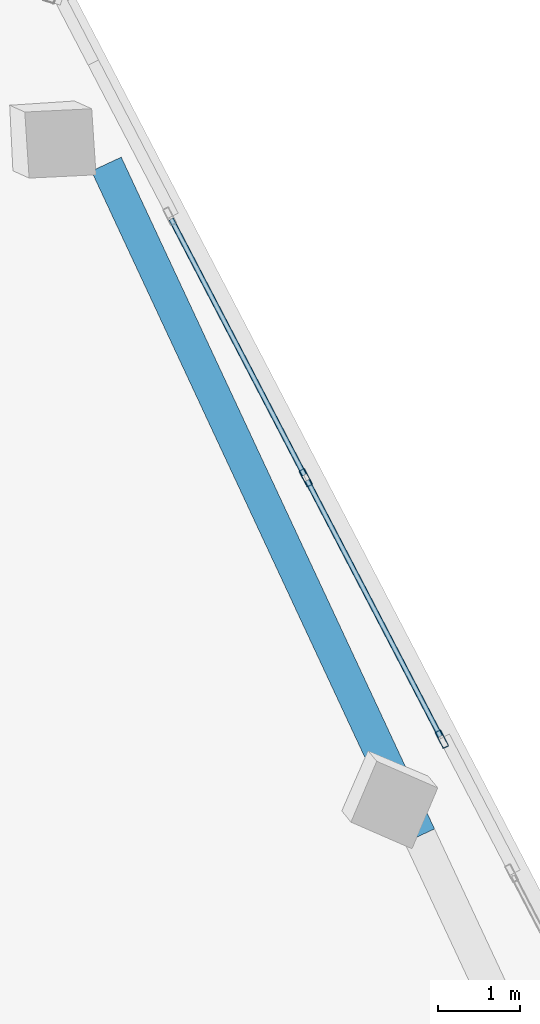
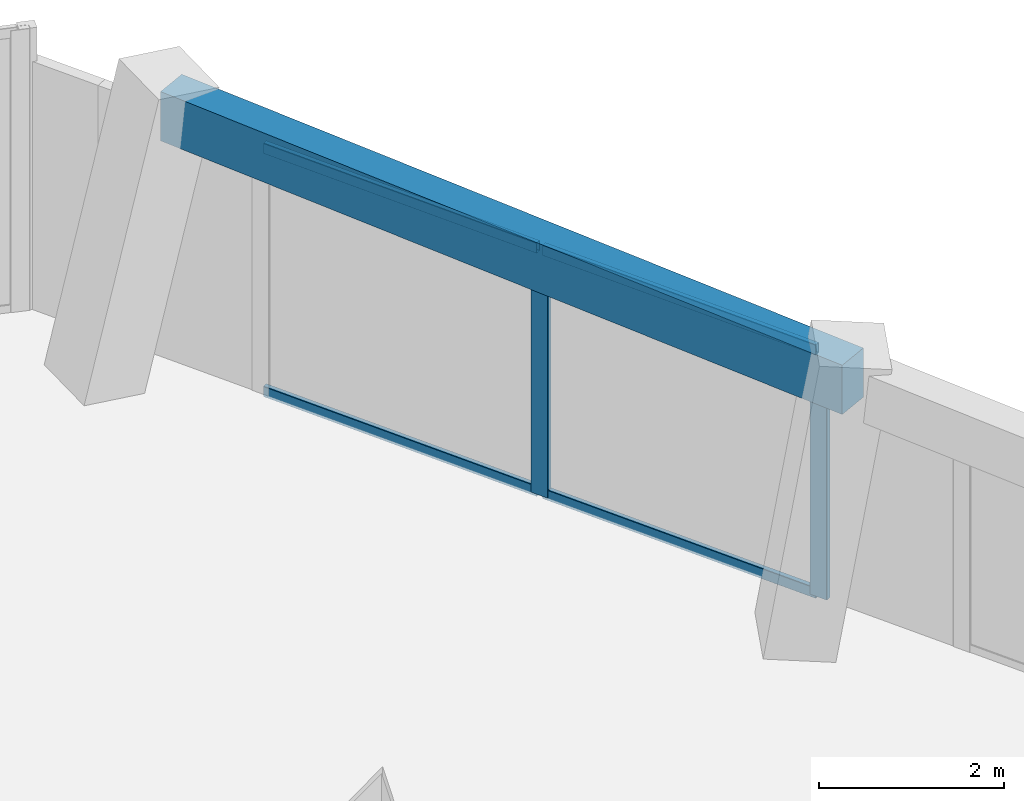
# One storey, part 10 of 16: 6 members, 1 beam, 1 element without a shape of its own.
"""IFC4 building model written with IfcOpenShell, lengths in metres."""

from ifc_helpers import new_model, si_unit, direction, frame, origin, origin_2d, place, context, subcontext, project, spatial, rectangle, hollow_rectangle, extrude, source, transform, mapped, material, material_profile, profile_set, type_object, element, aggregate, save


model = new_model("IFC4")

# Units and contexts
model_context = context("Model", 3, precision=1e-05, world=origin(), true_north=direction((0.0, 1.0)))
body_context = subcontext(model_context, "Body", "Model", "MODEL_VIEW")
ifc_project = project(units=[si_unit("LENGTHUNIT", "METRE"), si_unit("AREAUNIT", "SQUARE_METRE"), si_unit("VOLUMEUNIT", "CUBIC_METRE"), si_unit("PLANEANGLEUNIT", "RADIAN"), si_unit("MASSUNIT", "GRAM", prefix="KILO")], contexts=[model_context])

# Site, building, storey
site_placement = place(None, origin())
site = spatial("IfcSite", under=ifc_project, at=site_placement, CompositionType="ELEMENT")
building_placement = place(site_placement, origin())
building = spatial("IfcBuilding", under=site, at=building_placement, Name="Torre Montelarca", CompositionType="ELEMENT")
storey_placement = place(building_placement, frame((0.0, 0.0, 336.60009765625)))
storey = spatial("IfcBuildingStorey", under=building, at=storey_placement, Name="L76", CompositionType="ELEMENT", Elevation=336.60009765625)

# Beam
ifc_material_1 = material(Name="Concrete C40/50", Category="concrete")
ifc_material_profile_1 = material_profile(ifc_material_1, rectangle(XDim=0.39990234375, YDim=0.64990234375, at=origin_2d()), Name="RCB400X650", Category="concrete")
ifc_profile_set_1 = profile_set([ifc_material_profile_1], Name="Concrete C40/50")
beam_type = type_object("IfcBeamType", Name="BM-SP-RC650-EXT", PredefinedType="SPANDREL", material=ifc_profile_set_1)
shared_shape_1 = source(origin(), body_context, "Body", "SweptSolid", [
    extrude(rectangle(XDim=0.39990234375, YDim=0.64990234375, at=origin_2d()), origin(), (0.0, 0.0, 1.0), 9.0),
])
beam_placement = place(storey_placement, frame((29.94775390625, 49.7314453125, 3.635009765625), z_axis=(0.422632992999, -0.906300917592, 0.0), x_axis=(0.906300917592, 0.422632992999, 0.0)))
element("IfcBeam", 1, at=beam_placement, inside=storey, type_object=beam_type, Name="L76 Grid Girder X 9.0-18.0 at Y=47.1", PredefinedType="SPANDREL", context=body_context, shape_type="MappedRepresentation", body=[
    mapped(shared_shape_1, transform((0.0, 0.0, 0.0), scale=1.0)),
])

# Curtain wall, members
ifc_material_2 = material(Name="Insulated low-E laminated glass", Category="glass")
curtain_wall_type = type_object("IfcCurtainWallType", Name="CW-SYS-Z4", PredefinedType="USERDEFINED", material=ifc_material_2)
curtain_wall_placement = place(storey_placement, origin())
curtain_wall = element("IfcCurtainWall", 2, at=curtain_wall_placement, inside=storey, type_object=curtain_wall_type, Name="L76 Curtain Wall Run CW-T3-L76-E08-B2", ObjectType="UNITISED GLAZING", PredefinedType="USERDEFINED")
ifc_material_3 = material(Name="Anodised aluminium AA 6063-T6", Category="aluminium")
ifc_material_profile_2 = material_profile(ifc_material_3, hollow_rectangle(XDim=0.074951171875, YDim=0.219970703125, WallThickness=0.0048828125, InnerFilletRadius=0.0048828125, OuterFilletRadius=0.010009765625, at=origin_2d()), Name="ALU75X220X5", Category="aluminium")
ifc_profile_set_2 = profile_set([ifc_material_profile_2], Name="Anodised aluminium AA 6063-T6")
member_type_1 = type_object("IfcMemberType", Name="CWM-ALU220", PredefinedType="MULLION", material=ifc_profile_set_2)
shared_shape_2 = source(origin(), body_context, "Body", "SweptSolid", [
    extrude(hollow_rectangle(XDim=0.074951171875, YDim=0.219970703125, WallThickness=0.0048828125, InnerFilletRadius=0.0048828125, OuterFilletRadius=0.010009765625, at=origin_2d()), origin(), (0.0, 0.0, 1.0), 3.27490234375),
])
member_1_placement = place(storey_placement, frame((34.021240234375, 42.74951171875, 0.0), z_axis=(0.0, 0.0, 1.0), x_axis=(-0.887012265498, -0.461745861764, 0.0)))
member_1 = element("IfcMember", 3, at=member_1_placement, type_object=member_type_1, Name="CW mullion 1", PredefinedType="MULLION", context=body_context, shape_type="MappedRepresentation", body=[
    mapped(shared_shape_2, transform((0.0, 0.0, 0.0), scale=1.0)),
])
member_2_placement = place(storey_placement, frame((32.368896484375, 45.923583984375, 0.0), z_axis=(0.0, 0.0, 1.0), x_axis=(-0.887012265498, -0.461745861764, 0.0)))
member_2 = element("IfcMember", 4, at=member_2_placement, type_object=member_type_1, Name="CW mullion 2", PredefinedType="MULLION", context=body_context, shape_type="MappedRepresentation", body=[
    mapped(shared_shape_2, transform((0.0, 0.0, 0.0), scale=1.0)),
])
ifc_material_profile_3 = material_profile(ifc_material_3, hollow_rectangle(XDim=0.06494140625, YDim=0.139892578125, WallThickness=0.00390625, InnerFilletRadius=0.00390625, OuterFilletRadius=0.008056640625, at=origin_2d()), Name="ALU65X140X4", Category="aluminium")
ifc_profile_set_3 = profile_set([ifc_material_profile_3], Name="Anodised aluminium AA 6063-T6")
member_type_2 = type_object("IfcMemberType", Name="CWT-ALU140", PredefinedType="USERDEFINED", material=ifc_profile_set_3)
shared_shape_3 = source(origin(), body_context, "Body", "SweptSolid", [
    extrude(hollow_rectangle(XDim=0.06494140625, YDim=0.139892578125, WallThickness=0.00390625, InnerFilletRadius=0.00390625, OuterFilletRadius=0.008056640625, at=origin_2d()), origin(), (0.0, 0.0, 1.0), 3.503173828125),
])
member_3_placement = place(storey_placement, frame((34.00390625, 42.78271484375, 0.032470703125), z_axis=(-0.461760817432, 0.887004479969, 0.0), x_axis=(-0.887004479969, -0.461760817432, 0.0)))
member_3 = element("IfcMember", 5, at=member_3_placement, type_object=member_type_2, Name="CW transom 1.1", ObjectType="TRANSOM", PredefinedType="USERDEFINED", context=body_context, shape_type="MappedRepresentation", body=[
    mapped(shared_shape_3, transform((0.0, 0.0, 0.0), scale=1.0)),
])
member_4_placement = place(storey_placement, frame((34.00390625, 42.78271484375, 3.242431640625), z_axis=(-0.461760817432, 0.887004479969, 0.0), x_axis=(-0.887004479969, -0.461760817432, 0.0)))
member_4 = element("IfcMember", 6, at=member_4_placement, type_object=member_type_2, Name="CW transom 1.2", ObjectType="TRANSOM", PredefinedType="USERDEFINED", context=body_context, shape_type="MappedRepresentation", body=[
    mapped(shared_shape_3, transform((0.0, 0.0, 0.0), scale=1.0)),
])
member_5_placement = place(storey_placement, frame((32.3515625, 45.956787109375, 0.032470703125), z_axis=(-0.461705984908, 0.887033022779, 0.0), x_axis=(-0.887033022779, -0.461705984908, 0.0)))
member_5 = element("IfcMember", 7, at=member_5_placement, type_object=member_type_2, Name="CW transom 2.1", ObjectType="TRANSOM", PredefinedType="USERDEFINED", context=body_context, shape_type="MappedRepresentation", body=[
    mapped(shared_shape_3, transform((0.0, 0.0, 0.0), scale=1.0)),
])
member_6_placement = place(storey_placement, frame((32.3515625, 45.956787109375, 3.242431640625), z_axis=(-0.461705984908, 0.887033022779, 0.0), x_axis=(-0.887033022779, -0.461705984908, 0.0)))
member_6 = element("IfcMember", 8, at=member_6_placement, type_object=member_type_2, Name="CW transom 2.2", ObjectType="TRANSOM", PredefinedType="USERDEFINED", context=body_context, shape_type="MappedRepresentation", body=[
    mapped(shared_shape_3, transform((0.0, 0.0, 0.0), scale=1.0)),
])
aggregate(curtain_wall, [member_1, member_2, member_3, member_4, member_5, member_6])

save(model, "model.ifc")
